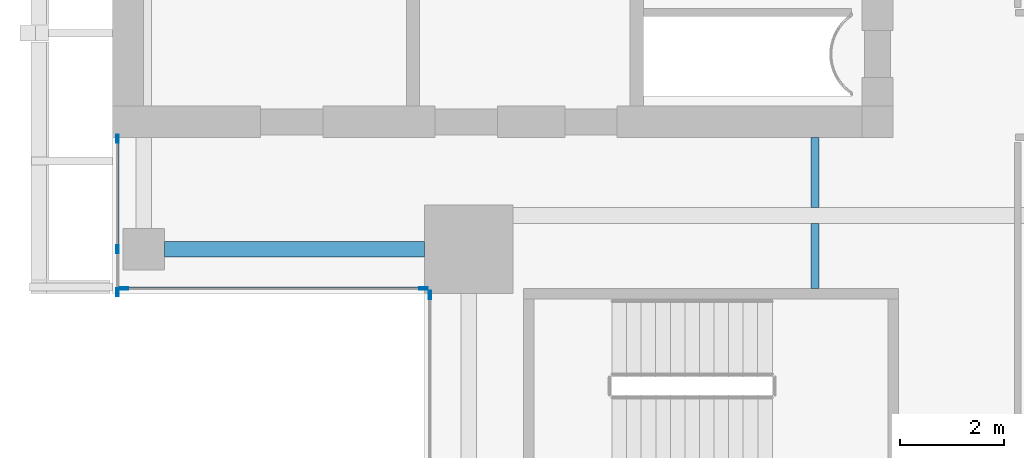
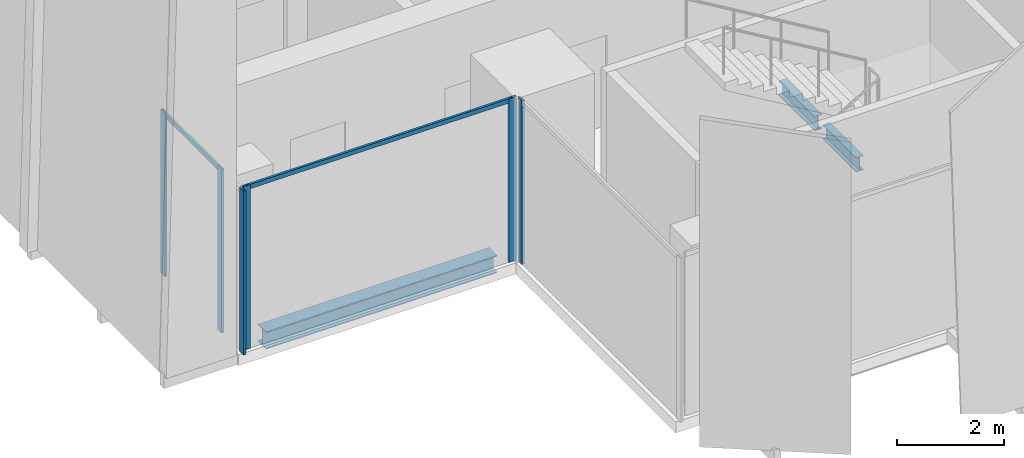
# One storey, part 3 of 32: 8 members, 3 beams, 3 elements without a shape of their own.
"""IFC4 building model written with IfcOpenShell, lengths in metres."""

from ifc_helpers import new_model, si_unit, direction, frame, origin, origin_2d, place, context, subcontext, project, spatial, hollow_rectangle, i_section, extrude, source, transform, mapped, material, material_profile, profile_set, type_object, element, aggregate, save


model = new_model("IFC4")

# Units and contexts
model_context = context("Model", 3, precision=1e-05, world=origin(), true_north=direction((0.0, 1.0)))
body_context = subcontext(model_context, "Body", "Model", "MODEL_VIEW")
ifc_project = project(units=[si_unit("LENGTHUNIT", "METRE"), si_unit("AREAUNIT", "SQUARE_METRE"), si_unit("VOLUMEUNIT", "CUBIC_METRE"), si_unit("PLANEANGLEUNIT", "RADIAN"), si_unit("MASSUNIT", "GRAM", prefix="KILO")], contexts=[model_context])

# Site, building, storey
site_placement = place(None, origin())
site = spatial("IfcSite", under=ifc_project, at=site_placement, CompositionType="ELEMENT")
building_placement = place(site_placement, origin())
building = spatial("IfcBuilding", under=site, at=building_placement, Name="Khomas Fold Tower", CompositionType="ELEMENT")
storey_placement = place(building_placement, frame((0.0, 0.0, 318.199951171875)))
storey = spatial("IfcBuildingStorey", under=building, at=storey_placement, Name="L72", CompositionType="ELEMENT", Elevation=318.199951171875)

# Beams
ifc_material_1 = material(Name="Steel S355", Category="steel")
ifc_material_profile_1 = material_profile(ifc_material_1, i_section(OverallWidth=0.159912109375, OverallDepth=0.330078125, WebThickness=0.007568359375, FlangeThickness=0.011474609375, at=origin_2d()), Name="IPE 330")
ifc_profile_set_1 = profile_set([ifc_material_profile_1], Name="Steel S355")
beam_type_1 = type_object("IfcBeamType", Name="IPE 330 beam JB1", PredefinedType="BEAM", material=ifc_profile_set_1)
shared_shape_1 = source(origin(), body_context, "Body", "SweptSolid", [
    extrude(i_section(OverallWidth=0.159912109375, OverallDepth=0.330078125, WebThickness=0.007568359375, FlangeThickness=0.011474609375, at=origin_2d()), origin(), (0.0, 0.0, 1.0), 1.25),
])
beam_1_placement = place(storey_placement, frame((19.5, 12.10009765625, -0.4150390625), z_axis=(0.0, 1.0, 0.0), x_axis=(-1.0, 0.0, 0.0)))
element("IfcBeam", 1, at=beam_1_placement, inside=storey, type_object=beam_type_1, Name="JB1", PredefinedType="BEAM", context=body_context, shape_type="MappedRepresentation", body=[
    mapped(shared_shape_1, transform((0.0, 0.0, 0.0))),
])
shared_shape_2 = source(origin(), body_context, "Body", "SweptSolid", [
    extrude(i_section(OverallWidth=0.159912109375, OverallDepth=0.330078125, WebThickness=0.007568359375, FlangeThickness=0.011474609375, at=origin_2d()), origin(), (0.0, 0.0, 1.0), 1.35009765625),
])
beam_2_placement = place(storey_placement, frame((19.5, 13.64990234375, -0.4150390625), z_axis=(0.0, 1.0, 0.0), x_axis=(-1.0, 0.0, 0.0)))
element("IfcBeam", 2, at=beam_2_placement, inside=storey, type_object=beam_type_1, Name="JB1", PredefinedType="BEAM", context=body_context, shape_type="MappedRepresentation", body=[
    mapped(shared_shape_2, transform((0.0, 0.0, 0.0))),
])
ifc_material_2 = material(Name="Steel S355", Category="steel")
ifc_material_profile_2 = material_profile(ifc_material_2, i_section(OverallWidth=0.300048828125, OverallDepth=0.39990234375, WebThickness=0.013427734375, FlangeThickness=0.02392578125, at=origin_2d()), Name="HE 400 B")
ifc_profile_set_2 = profile_set([ifc_material_profile_2], Name="Steel S355")
beam_type_2 = type_object("IfcBeamType", Name="HE 400 B spandrel SB5", PredefinedType="SPANDREL", material=ifc_profile_set_2)
shared_shape_3 = source(origin(), body_context, "Body", "SweptSolid", [
    extrude(i_section(OverallWidth=0.300048828125, OverallDepth=0.39990234375, WebThickness=0.013427734375, FlangeThickness=0.02392578125, at=origin_2d()), origin(), (0.0, 0.0, 1.0), 5.0),
])
beam_3_placement = place(storey_placement, frame((7.0, 12.85009765625, -0.449951171875), z_axis=(1.0, 0.0, 0.0), x_axis=(0.0, 1.0, 0.0)))
element("IfcBeam", 3, at=beam_3_placement, inside=storey, type_object=beam_type_2, Name="SB5", PredefinedType="SPANDREL", context=body_context, shape_type="MappedRepresentation", body=[
    mapped(shared_shape_3, transform((0.0, 0.0, 0.0))),
])

# Curtain wall, members
ifc_material_3 = material(Name="Aluminium framed double glazing", Category="aluminium")
curtain_wall_type = type_object("IfcCurtainWallType", Name="SK-Unitised clear-glass wall, upper floors CW3", PredefinedType="NOTDEFINED", material=ifc_material_3)
curtain_wall_1_placement = place(storey_placement, origin())
curtain_wall_1 = element("IfcCurtainWall", 4, at=curtain_wall_1_placement, inside=storey, type_object=curtain_wall_type, Name="CW3 run L72 09-1", PredefinedType="NOTDEFINED")
ifc_material_4 = material(Name="Aluminium", Category="aluminium")
ifc_material_profile_3 = material_profile(ifc_material_4, hollow_rectangle(XDim=0.050048828125, YDim=0.159912109375, WallThickness=0.00390625, at=origin_2d()), Name="SK-Unitised clear-glass wall, upper floors mullion CW3-M")
ifc_profile_set_3 = profile_set([ifc_material_profile_3], Name="Aluminium")
member_type_1 = type_object("IfcMemberType", Name="SK-Unitised clear-glass wall, upper floors mullion CW3-M", PredefinedType="MULLION", material=ifc_profile_set_3)
shared_shape_4 = source(origin(), body_context, "Body", "SweptSolid", [
    extrude(hollow_rectangle(XDim=0.050048828125, YDim=0.159912109375, WallThickness=0.00390625, at=origin_2d()), origin(), (0.0, 0.0, 1.0), 3.75),
])
member_1_placement = place(storey_placement, frame((6.10009765625, 14.97509765625, 0.0), z_axis=(0.0, 0.0, 1.0), x_axis=(1.0, 0.0, 0.0)))
member_1 = element("IfcMember", 5, at=member_1_placement, type_object=member_type_1, Name="CW3 mullion 1", PredefinedType="MULLION", context=body_context, shape_type="MappedRepresentation", body=[
    mapped(shared_shape_4, transform((0.0, 0.0, 0.0))),
])
member_2_placement = place(storey_placement, frame((6.10009765625, 12.85009765625, 0.0), z_axis=(0.0, 0.0, 1.0), x_axis=(1.0, 0.0, 0.0)))
member_2 = element("IfcMember", 6, at=member_2_placement, type_object=member_type_1, Name="CW3 mullion 2", PredefinedType="MULLION", context=body_context, shape_type="MappedRepresentation", body=[
    mapped(shared_shape_4, transform((0.0, 0.0, 0.0))),
])
member_3_placement = place(storey_placement, frame((6.10009765625, 12.02490234375, 0.0), z_axis=(0.0, 0.0, 1.0), x_axis=(1.0, 0.0, 0.0)))
member_3 = element("IfcMember", 7, at=member_3_placement, type_object=member_type_1, Name="CW3 mullion 3", PredefinedType="MULLION", context=body_context, shape_type="MappedRepresentation", body=[
    mapped(shared_shape_4, transform((0.0, 0.0, 0.0))),
])

curtain_wall_2_placement = place(storey_placement, origin())
curtain_wall_2 = element("IfcCurtainWall", 8, at=curtain_wall_2_placement, inside=storey, type_object=curtain_wall_type, Name="CW3 corner return L72 10", PredefinedType="NOTDEFINED")
member_4_placement = place(storey_placement, frame((6.22509765625, 12.10009765625, 0.0), z_axis=(0.0, 0.0, 1.0), x_axis=(0.0, 1.0, 0.0)))
member_4 = element("IfcMember", 9, at=member_4_placement, type_object=member_type_1, Name="CW3 mullion 1", PredefinedType="MULLION", context=body_context, shape_type="MappedRepresentation", body=[
    mapped(shared_shape_4, transform((0.0, 0.0, 0.0))),
])
member_5_placement = place(storey_placement, frame((11.97509765625, 12.10009765625, 0.0), z_axis=(0.0, 0.0, 1.0), x_axis=(0.0, 1.0, 0.0)))
member_5 = element("IfcMember", 10, at=member_5_placement, type_object=member_type_1, Name="CW3 mullion 2", PredefinedType="MULLION", context=body_context, shape_type="MappedRepresentation", body=[
    mapped(shared_shape_4, transform((0.0, 0.0, 0.0))),
])

# Curtain wall, member
curtain_wall_3_placement = place(storey_placement, origin())
curtain_wall_3 = element("IfcCurtainWall", 11, at=curtain_wall_3_placement, inside=storey, type_object=curtain_wall_type, Name="CW3 corner return L72 11", PredefinedType="NOTDEFINED")
member_6_placement = place(storey_placement, frame((12.10009765625, 11.97509765625, 0.0), z_axis=(0.0, 0.0, 1.0), x_axis=(1.0, 0.0, 0.0)))
member_6 = element("IfcMember", 12, at=member_6_placement, type_object=member_type_1, Name="CW3 mullion 1", PredefinedType="MULLION", context=body_context, shape_type="MappedRepresentation", body=[
    mapped(shared_shape_4, transform((0.0, 0.0, 0.0))),
])
aggregate(curtain_wall_3, [member_6])

# Member
ifc_material_5 = material(Name="Aluminium", Category="aluminium")
ifc_material_profile_4 = material_profile(ifc_material_5, hollow_rectangle(XDim=0.050048828125, YDim=0.10009765625, WallThickness=0.00390625, at=origin_2d()), Name="SK-Unitised clear-glass wall, upper floors transom CW3-T")
ifc_profile_set_4 = profile_set([ifc_material_profile_4], Name="Aluminium")
member_type_2 = type_object("IfcMemberType", Name="SK-Unitised clear-glass wall, upper floors transom CW3-T", PredefinedType="USERDEFINED", material=ifc_profile_set_4)
shared_shape_5 = source(origin(), body_context, "Body", "SweptSolid", [
    extrude(hollow_rectangle(XDim=0.050048828125, YDim=0.10009765625, WallThickness=0.00390625, at=origin_2d()), origin(), (0.0, 0.0, 1.0), 5.699951171875),
])
member_7_placement = place(storey_placement, frame((6.25, 12.10009765625, 3.699951171875), z_axis=(1.0, 0.0, 0.0), x_axis=(0.0, 1.0, 0.0)))
member_7 = element("IfcMember", 13, at=member_7_placement, type_object=member_type_2, Name="CW3 transom 1", ObjectType="TRANSOM", PredefinedType="USERDEFINED", context=body_context, shape_type="MappedRepresentation", body=[
    mapped(shared_shape_5, transform((0.0, 0.0, 0.0))),
])

aggregate(curtain_wall_2, [member_4, member_5, member_7])

shared_shape_6 = source(origin(), body_context, "Body", "SweptSolid", [
    extrude(hollow_rectangle(XDim=0.050048828125, YDim=0.10009765625, WallThickness=0.00390625, at=origin_2d()), origin(), (0.0, 0.0, 1.0), 2.074951171875),
])
member_8_placement = place(storey_placement, frame((6.10009765625, 14.949951171875, 3.699951171875), z_axis=(0.0, -1.0, 0.0), x_axis=(1.0, 0.0, 0.0)))
member_8 = element("IfcMember", 14, at=member_8_placement, type_object=member_type_2, Name="CW3 transom 1", ObjectType="TRANSOM", PredefinedType="USERDEFINED", context=body_context, shape_type="MappedRepresentation", body=[
    mapped(shared_shape_6, transform((0.0, 0.0, 0.0))),
])

aggregate(curtain_wall_1, [member_1, member_2, member_3, member_8])

save(model, "model.ifc")
